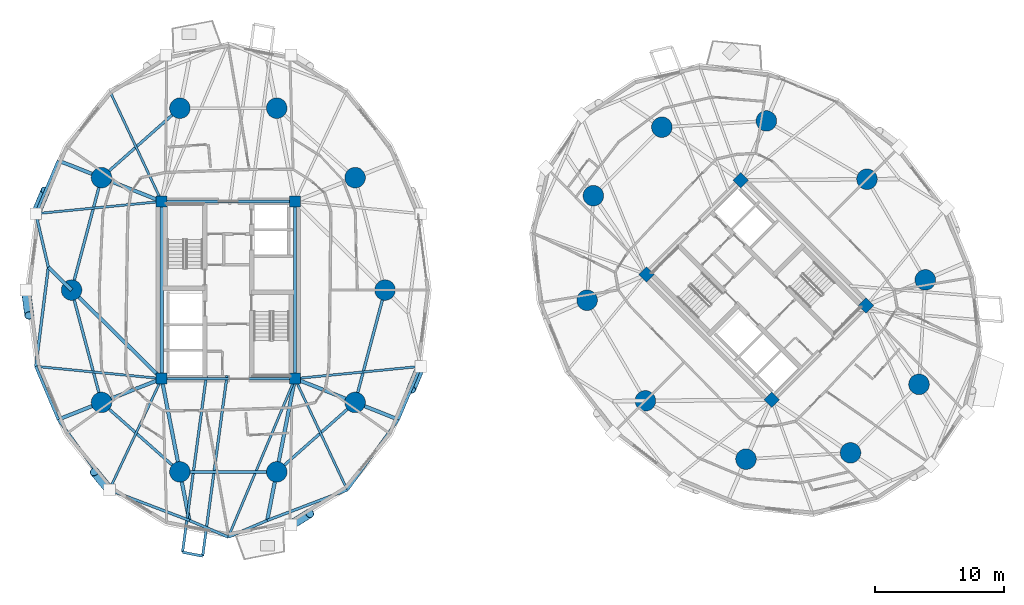
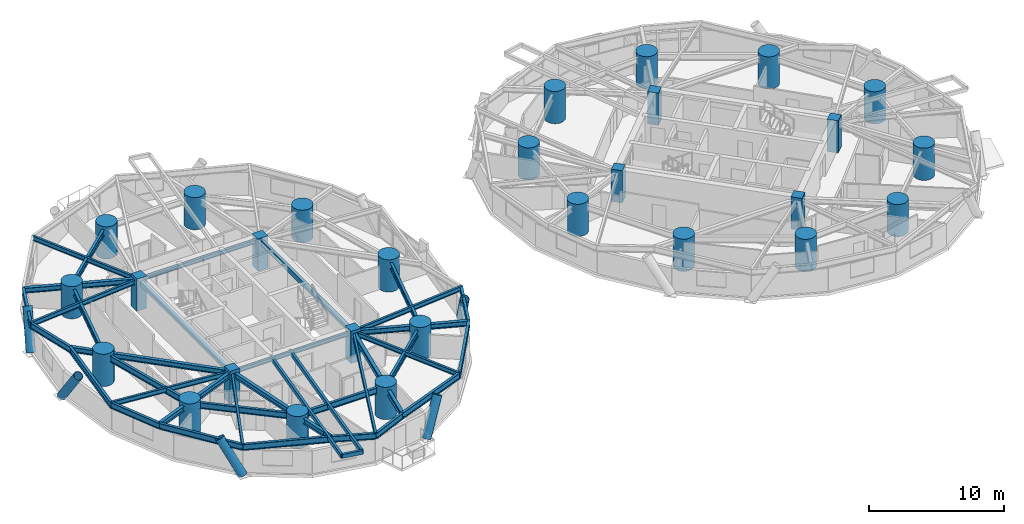
# One storey, part 1 of 20: 39 beams, 28 columns, 5 members.
"""IFC4 building model written with IfcOpenShell, lengths in metres."""

from ifc_helpers import new_model, si_unit, direction, frame, origin, origin_2d, place, context, subcontext, project, spatial, rectangle, hollow_rectangle, circle, hollow_circle, i_section, extrude, material, material_profile, profile_set, type_object, element, save


model = new_model("IFC4")

# Units and contexts
model_context = context("Model", 3, precision=1e-05, world=origin(), true_north=direction((0.0, 1.0)))
body_context = subcontext(model_context, "Body", "Model", "MODEL_VIEW")
ifc_project = project(units=[si_unit("LENGTHUNIT", "METRE"), si_unit("AREAUNIT", "SQUARE_METRE"), si_unit("VOLUMEUNIT", "CUBIC_METRE"), si_unit("PLANEANGLEUNIT", "RADIAN"), si_unit("MASSUNIT", "GRAM", prefix="KILO")], contexts=[model_context])

# Site, building, storey
site_placement = place(None, origin())
site = spatial("IfcSite", under=ifc_project, at=site_placement, CompositionType="ELEMENT")
building_placement = place(site_placement, origin())
building = spatial("IfcBuilding", under=site, at=building_placement, Name="Cununo Teusaquillo Station Towers", CompositionType="ELEMENT")
storey_placement = place(building_placement, frame((0.0, 0.0, 39.4599609375)))
storey = spatial("IfcBuildingStorey", under=building, at=storey_placement, Name="L11", CompositionType="ELEMENT", Elevation=39.4599609375)

# Columns
ifc_material_1 = material(Name="Concrete C50/60", Category="concrete")
ifc_material_profile_1 = material_profile(ifc_material_1, rectangle(XDim=0.85009765625, YDim=0.85009765625, at=origin_2d()), Name="RC-RECT-850x850")
ifc_profile_set_1 = profile_set([ifc_material_profile_1], Name="Concrete C50/60")
column_type_1 = type_object("IfcColumnType", Name="COL-CORE-Z1", PredefinedType="COLUMN", material=ifc_profile_set_1)
for number, where, z_axis, x_axis, name in (
    (1, (11.324951171875, 17.6201171875, 0.0), (0.0, 0.0, 1.0), (1.0, 0.0, 0.0), "L11 Tower A Core Column 1"),
    (2, (11.324951171875, 31.3798828125, 0.0), (0.0, 0.0, 1.0), (1.0, 0.0, 0.0), "L11 Tower A Core Column 2"),
    (3, (21.675048828125, 17.6201171875, 0.0), (0.0, 0.0, 1.0), (1.0, 0.0, 0.0), "L11 Tower A Core Column 3"),
    (4, (21.675048828125, 31.3798828125, 0.0), (0.0, 0.0, 1.0), (1.0, 0.0, 0.0), "L11 Tower A Core Column 4"),
    (5, (58.70556640625, 15.975830078125, 0.0), (0.0, 0.0, 1.0), (0.707106781187, 0.707106781187, 0.0), "L11 Tower B Core Column 1"),
    (6, (48.975830078125, 25.70556640625, 0.0), (0.0, 0.0, 1.0), (0.707106781187, 0.707106781187, 0.0), "L11 Tower B Core Column 2"),
    (7, (66.024169921875, 23.29443359375, 0.0), (0.0, 0.0, 1.0), (0.707106781187, 0.707106781187, 0.0), "L11 Tower B Core Column 3"),
    (8, (56.29443359375, 33.024169921875, 0.0), (0.0, 0.0, 1.0), (0.707106781187, 0.707106781187, 0.0), "L11 Tower B Core Column 4"),
):
    element("IfcColumn", number, at=place(storey_placement, frame(where, z_axis=z_axis, x_axis=x_axis)), inside=storey, type_object=column_type_1, Name=name, PredefinedType="COLUMN", context=body_context, shape_type="SweptSolid", body=[
        extrude(rectangle(XDim=0.85009765625, YDim=0.85009765625, at=origin_2d()), origin(), (0.0, 0.0, 1.0), 2.91015625),
    ])
ifc_material_2 = material(Name="Concrete C60/75", Category="concrete")
ifc_material_profile_2 = material_profile(ifc_material_2, circle(Radius=0.800048828125, at=origin_2d()), Name="RC-CIRC-1600")
ifc_profile_set_2 = profile_set([ifc_material_profile_2], Name="Concrete C60/75")
column_type_2 = type_object("IfcColumnType", Name="COL-MEGA-Z1", PredefinedType="USERDEFINED", material=ifc_profile_set_2)
for number, where, z_axis, x_axis, name in (
    (9, (28.672119140625, 24.5, 0.0), (0.0, 0.0, 1.0), (1.0, 0.0, 0.0), "L11 Tower A Perimeter Column V00"),
    (10, (26.347412109375, 33.228515625, 0.0), (0.0, 0.0, 1.0), (1.0, 0.0, 0.0), "L11 Tower A Perimeter Column V02"),
    (11, (20.261474609375, 38.623291015625, 0.0), (0.0, 0.0, 1.0), (1.0, 0.0, 0.0), "L11 Tower A Perimeter Column V04"),
    (12, (12.738525390625, 38.623291015625, 0.0), (0.0, 0.0, 1.0), (1.0, 0.0, 0.0), "L11 Tower A Perimeter Column V06"),
    (13, (6.652587890625, 33.228515625, 0.0), (0.0, 0.0, 1.0), (1.0, 0.0, 0.0), "L11 Tower A Perimeter Column V08"),
    (14, (4.327880859375, 24.5, 0.0), (0.0, 0.0, 1.0), (1.0, 0.0, 0.0), "L11 Tower A Perimeter Column V10"),
    (15, (6.652587890625, 15.771484375, 0.0), (0.0, 0.0, 1.0), (1.0, 0.0, 0.0), "L11 Tower A Perimeter Column V12"),
    (16, (12.738525390625, 10.376708984375, 0.0), (0.0, 0.0, 1.0), (1.0, 0.0, 0.0), "L11 Tower A Perimeter Column V14"),
    (17, (20.261474609375, 10.376708984375, 0.0), (0.0, 0.0, 1.0), (1.0, 0.0, 0.0), "L11 Tower A Perimeter Column V16"),
    (18, (26.347412109375, 15.771484375, 0.0), (0.0, 0.0, 1.0), (1.0, 0.0, 0.0), "L11 Tower A Perimeter Column V18"),
    (19, (66.10693359375, 33.10693359375, 0.0), (0.0, 0.0, 1.0), (1.0, 0.0, 0.0), "L11 Tower B Perimeter Column V00"),
    (20, (58.291015625, 37.63525390625, 0.0), (0.0, 0.0, 1.0), (1.0, 0.0, 0.0), "L11 Tower B Perimeter Column V02"),
    (21, (50.173095703125, 37.146240234375, 0.0), (0.0, 0.0, 1.0), (1.0, 0.0, 0.0), "L11 Tower B Perimeter Column V04"),
    (22, (44.853759765625, 31.826904296875, 0.0), (0.0, 0.0, 1.0), (1.0, 0.0, 0.0), "L11 Tower B Perimeter Column V06"),
    (23, (44.36474609375, 23.708984375, 0.0), (0.0, 0.0, 1.0), (1.0, 0.0, 0.0), "L11 Tower B Perimeter Column V08"),
    (24, (48.89306640625, 15.89306640625, 0.0), (0.0, 0.0, 1.0), (1.0, 0.0, 0.0), "L11 Tower B Perimeter Column V10"),
    (25, (56.708984375, 11.36474609375, 0.0), (0.0, 0.0, 1.0), (1.0, 0.0, 0.0), "L11 Tower B Perimeter Column V12"),
    (26, (64.826904296875, 11.853759765625, 0.0), (0.0, 0.0, 1.0), (1.0, 0.0, 0.0), "L11 Tower B Perimeter Column V14"),
    (27, (70.146240234375, 17.173095703125, 0.0), (0.0, 0.0, 1.0), (1.0, 0.0, 0.0), "L11 Tower B Perimeter Column V16"),
    (28, (70.63525390625, 25.291015625, 0.0), (0.0, 0.0, 1.0), (1.0, 0.0, 0.0), "L11 Tower B Perimeter Column V18"),
):
    element("IfcColumn", number, at=place(storey_placement, frame(where, z_axis=z_axis, x_axis=x_axis)), inside=storey, type_object=column_type_2, Name=name, ObjectType="MEGA COLUMN", PredefinedType="USERDEFINED", context=body_context, shape_type="SweptSolid", body=[
        extrude(circle(Radius=0.800048828125, at=origin_2d()), origin(), (0.0, 0.0, 1.0), 2.91015625),
    ])

# Beams
ifc_material_3 = material(Name="Steel EN 10025-2 S355J2", Category="steel")
ifc_material_profile_3 = material_profile(ifc_material_3, hollow_rectangle(XDim=0.199951171875, YDim=0.35009765625, WallThickness=0.013916015625, at=origin_2d()), Name="RHS 350x200x14")
ifc_profile_set_3 = profile_set([ifc_material_profile_3], Name="Steel EN 10025-2 S355J2")
beam_type_1 = type_object("IfcBeamType", Name="BM-BAL-CANT", PredefinedType="BEAM", material=ifc_profile_set_3)
beam_1_placement = place(storey_placement, frame((14.799560546875, 17.85009765625, 2.47509765625), z_axis=(-0.133965193427, -0.990986037717, 0.0), x_axis=(0.990986037717, -0.133965193427, 0.0)))
element("IfcBeam", 29, at=beam_1_placement, inside=storey, type_object=beam_type_1, Name="L11 Tower A Balcony Cantilever Bracket 2A", PredefinedType="BEAM", context=body_context, shape_type="SweptSolid", body=[
    extrude(hollow_rectangle(XDim=0.199951171875, YDim=0.35009765625, WallThickness=0.013916015625, at=origin_2d()), origin(), (0.0, 0.0, 1.0), 13.837646484375),
])
beam_2_placement = place(storey_placement, frame((16.40234375, 17.85009765625, 2.47509765625), z_axis=(-0.133963716843, -0.990986237326, 0.0), x_axis=(0.990986237326, -0.133963716843, 0.0)))
element("IfcBeam", 30, at=beam_2_placement, inside=storey, type_object=beam_type_1, Name="L11 Tower A Balcony Cantilever Bracket 2B", PredefinedType="BEAM", context=body_context, shape_type="SweptSolid", body=[
    extrude(hollow_rectangle(XDim=0.199951171875, YDim=0.35009765625, WallThickness=0.013916015625, at=origin_2d()), origin(), (0.0, 0.0, 1.0), 14.14208984375),
])
ifc_material_4 = material(Name="Steel EN 10025-2 S355J2", Category="steel")
ifc_material_profile_4 = material_profile(ifc_material_4, hollow_rectangle(XDim=0.25, YDim=0.449951171875, WallThickness=0.01611328125, at=origin_2d()), Name="RHS 450x250x16")
ifc_profile_set_4 = profile_set([ifc_material_profile_4], Name="Steel EN 10025-2 S355J2")
beam_type_2 = type_object("IfcBeamType", Name="BM-COUP-1", PredefinedType="USERDEFINED", material=ifc_profile_set_4)
for number, where, z_axis, x_axis, name in (
    (31, (11.324951171875, 17.6201171875, 2.425048828125), (0.0, 1.0, 0.0), (-1.0, 0.0, 0.0), "L11 Tower A Core Beam 1"),
    (32, (21.675048828125, 17.6201171875, 2.425048828125), (0.0, 1.0, 0.0), (-1.0, 0.0, 0.0), "L11 Tower A Core Beam 2"),
):
    element("IfcBeam", number, at=place(storey_placement, frame(where, z_axis=z_axis, x_axis=x_axis)), inside=storey, type_object=beam_type_2, Name=name, ObjectType="COUPLING BEAM", PredefinedType="USERDEFINED", context=body_context, shape_type="SweptSolid", body=[
        extrude(hollow_rectangle(XDim=0.25, YDim=0.449951171875, WallThickness=0.01611328125, at=origin_2d()), origin(), (0.0, 0.0, 1.0), 13.759765625),
    ])
ifc_material_5 = material(Name="Steel ASTM A572 Grade 50", Category="steel")
ifc_material_profile_5 = material_profile(ifc_material_5, i_section(OverallWidth=0.180908203125, OverallDepth=0.4169921875, WebThickness=0.010986328125, FlangeThickness=0.018310546875, FilletRadius=0.012939453125, at=origin_2d()), Name="W16X57")
ifc_profile_set_5 = profile_set([ifc_material_profile_5], Name="Steel ASTM A572 Grade 50")
beam_type_3 = type_object("IfcBeamType", Name="BM-JOIST-1", PredefinedType="JOIST", material=ifc_profile_set_5)
beam_3_placement = place(storey_placement, frame((11.324951171875, 31.3798828125, 2.441650390625), z_axis=(-0.425472080871, 0.904971551155, 0.0), x_axis=(-0.904971551155, -0.425472080871, 0.0)))
element("IfcBeam", 33, at=beam_3_placement, inside=storey, type_object=beam_type_3, Name="L11 Tower A Radial Spandrel Joist V07", PredefinedType="JOIST", context=body_context, shape_type="SweptSolid", body=[
    extrude(i_section(OverallWidth=0.180908203125, OverallDepth=0.4169921875, WebThickness=0.010986328125, FlangeThickness=0.018310546875, FilletRadius=0.012939453125, at=origin_2d()), origin(), (0.0, 0.0, 1.0), 9.552734375),
])
for number, where, z_axis, x_axis, name in (
    (34, (11.324951171875, 31.3798828125, 2.441650390625), (-0.995310719276, -0.096729375545, 0.0), (0.096729375545, -0.995310719276, 0.0), "L11 Tower A Radial Spandrel Joist V09"),
    (35, (11.324951171875, 17.6201171875, 2.441650390625), (-0.995310719276, 0.096729375545, 0.0), (-0.096729375545, -0.995310719276, 0.0), "L11 Tower A Radial Spandrel Joist V11"),
):
    element("IfcBeam", number, at=place(storey_placement, frame(where, z_axis=z_axis, x_axis=x_axis)), inside=storey, type_object=beam_type_3, Name=name, PredefinedType="JOIST", context=body_context, shape_type="SweptSolid", body=[
        extrude(i_section(OverallWidth=0.180908203125, OverallDepth=0.4169921875, WebThickness=0.010986328125, FlangeThickness=0.018310546875, FilletRadius=0.012939453125, at=origin_2d()), origin(), (0.0, 0.0, 1.0), 9.82080078125),
    ])
beam_4_placement = place(storey_placement, frame((11.324951171875, 17.6201171875, 2.441650390625), z_axis=(-0.425472080871, -0.904971551155, 0.0), x_axis=(0.904971551155, -0.425472080871, 0.0)))
element("IfcBeam", 36, at=beam_4_placement, inside=storey, type_object=beam_type_3, Name="L11 Tower A Radial Spandrel Joist V13", PredefinedType="JOIST", context=body_context, shape_type="SweptSolid", body=[
    extrude(i_section(OverallWidth=0.180908203125, OverallDepth=0.4169921875, WebThickness=0.010986328125, FlangeThickness=0.018310546875, FilletRadius=0.012939453125, at=origin_2d()), origin(), (0.0, 0.0, 1.0), 9.552734375),
])
beam_5_placement = place(storey_placement, frame((21.675048828125, 17.6201171875, 2.441650390625), z_axis=(-0.387539558454, -0.92185307432, 0.0), x_axis=(0.92185307432, -0.387539558454, 0.0)))
element("IfcBeam", 37, at=beam_5_placement, inside=storey, type_object=beam_type_3, Name="L11 Tower A Radial Spandrel Joist V15", PredefinedType="JOIST", context=body_context, shape_type="SweptSolid", body=[
    extrude(i_section(OverallWidth=0.180908203125, OverallDepth=0.4169921875, WebThickness=0.010986328125, FlangeThickness=0.018310546875, FilletRadius=0.012939453125, at=origin_2d()), origin(), (0.0, 0.0, 1.0), 13.353515625),
])
beam_6_placement = place(storey_placement, frame((21.675048828125, 17.6201171875, 2.441650390625), z_axis=(0.425472080871, -0.904971551155, 0.0), x_axis=(0.904971551155, 0.425472080871, 0.0)))
element("IfcBeam", 38, at=beam_6_placement, inside=storey, type_object=beam_type_3, Name="L11 Tower A Radial Spandrel Joist V17", PredefinedType="JOIST", context=body_context, shape_type="SweptSolid", body=[
    extrude(i_section(OverallWidth=0.180908203125, OverallDepth=0.4169921875, WebThickness=0.010986328125, FlangeThickness=0.018310546875, FilletRadius=0.012939453125, at=origin_2d()), origin(), (0.0, 0.0, 1.0), 9.552734375),
])
beam_7_placement = place(storey_placement, frame((21.675048828125, 17.6201171875, 2.441650390625), z_axis=(0.995310719276, 0.096729375545, 0.0), x_axis=(-0.096729375545, 0.995310719276, 0.0)))
element("IfcBeam", 39, at=beam_7_placement, inside=storey, type_object=beam_type_3, Name="L11 Tower A Radial Spandrel Joist V19", PredefinedType="JOIST", context=body_context, shape_type="SweptSolid", body=[
    extrude(i_section(OverallWidth=0.180908203125, OverallDepth=0.4169921875, WebThickness=0.010986328125, FlangeThickness=0.018310546875, FilletRadius=0.012939453125, at=origin_2d()), origin(), (0.0, 0.0, 1.0), 9.82080078125),
])
ifc_material_6 = material(Name="Steel ASTM A572 Grade 50", Category="steel")
ifc_material_profile_6 = material_profile(ifc_material_6, i_section(OverallWidth=0.2041015625, OverallDepth=0.35009765625, WebThickness=0.008544921875, FlangeThickness=0.01513671875, FilletRadius=0.011962890625, at=origin_2d()), Name="W14X48")
ifc_profile_set_6 = profile_set([ifc_material_profile_6], Name="Steel ASTM A572 Grade 50")
beam_type_4 = type_object("IfcBeamType", Name="BM-LINTEL-1", PredefinedType="LINTEL", material=ifc_profile_set_6)
for number, where, z_axis, x_axis, name in (
    (40, (11.324951171875, 17.6201171875, 2.47509765625), (1.0, 0.0, 0.0), (0.0, 1.0, 0.0), "L11 Tower A Core Beam 3"),
    (41, (11.324951171875, 31.3798828125, 2.47509765625), (1.0, 0.0, 0.0), (0.0, 1.0, 0.0), "L11 Tower A Core Beam 4"),
):
    element("IfcBeam", number, at=place(storey_placement, frame(where, z_axis=z_axis, x_axis=x_axis)), inside=storey, type_object=beam_type_4, Name=name, PredefinedType="LINTEL", context=body_context, shape_type="SweptSolid", body=[
        extrude(i_section(OverallWidth=0.2041015625, OverallDepth=0.35009765625, WebThickness=0.008544921875, FlangeThickness=0.01513671875, FilletRadius=0.011962890625, at=origin_2d()), origin(), (0.0, 0.0, 1.0), 10.35009765625),
    ])
ifc_material_7 = material(Name="Steel ASTM A572 Grade 50", Category="steel")
ifc_material_profile_7 = material_profile(ifc_material_7, i_section(OverallWidth=0.280029296875, OverallDepth=0.462890625, WebThickness=0.0107421875, FlangeThickness=0.017333984375, FilletRadius=0.013916015625, at=origin_2d()), Name="W18X76")
ifc_profile_set_7 = profile_set([ifc_material_profile_7], Name="Steel ASTM A572 Grade 50")
beam_type_5 = type_object("IfcBeamType", Name="BM-RAD-G1", PredefinedType="BEAM", material=ifc_profile_set_7)
beam_8_placement = place(storey_placement, frame((11.324951171875, 31.3798828125, 2.41845703125), z_axis=(-0.929864879908, 0.367901216516, 0.0), x_axis=(-0.367901216516, -0.929864879908, 0.0)))
element("IfcBeam", 42, at=beam_8_placement, inside=storey, type_object=beam_type_5, Name="L11 Tower A Continuous Overhanging Radial Girder 05", PredefinedType="BEAM", context=body_context, shape_type="SweptSolid", body=[
    extrude(i_section(OverallWidth=0.280029296875, OverallDepth=0.462890625, WebThickness=0.0107421875, FlangeThickness=0.017333984375, FilletRadius=0.013916015625, at=origin_2d()), origin(), (0.0, 0.0, 1.0), 8.631591796875),
])
beam_9_placement = place(storey_placement, frame((11.324951171875, 17.6201171875, 2.41845703125), z_axis=(-0.713052701438, 0.701110437073, 0.0), x_axis=(-0.701110437073, -0.713052701438, 0.0)))
element("IfcBeam", 43, at=beam_9_placement, inside=storey, type_object=beam_type_5, Name="L11 Tower A Radial Girder 06A", PredefinedType="BEAM", context=body_context, shape_type="SweptSolid", body=[
    extrude(i_section(OverallWidth=0.280029296875, OverallDepth=0.462890625, WebThickness=0.0107421875, FlangeThickness=0.017333984375, FilletRadius=0.013916015625, at=origin_2d()), origin(), (0.0, 0.0, 1.0), 9.812744140625),
])
beam_10_placement = place(storey_placement, frame((4.327880859375, 24.5, 2.41845703125), z_axis=(-0.713066306507, 0.701096599995, 0.0), x_axis=(-0.701096599995, -0.713066306507, 0.0)))
element("IfcBeam", 44, at=beam_10_placement, inside=storey, type_object=beam_type_5, Name="L11 Tower A Perimeter Overhang Girder 06B", PredefinedType="BEAM", context=body_context, shape_type="SweptSolid", body=[
    extrude(i_section(OverallWidth=0.280029296875, OverallDepth=0.462890625, WebThickness=0.0107421875, FlangeThickness=0.017333984375, FilletRadius=0.013916015625, at=origin_2d()), origin(), (0.0, 0.0, 1.0), 2.529052734375),
])
beam_11_placement = place(storey_placement, frame((11.324951171875, 17.6201171875, 2.41845703125), z_axis=(-0.929864879908, -0.367901216516, 0.0), x_axis=(0.367901216516, -0.929864879908, 0.0)))
element("IfcBeam", 45, at=beam_11_placement, inside=storey, type_object=beam_type_5, Name="L11 Tower A Continuous Overhanging Radial Girder 07", PredefinedType="BEAM", context=body_context, shape_type="SweptSolid", body=[
    extrude(i_section(OverallWidth=0.280029296875, OverallDepth=0.462890625, WebThickness=0.0107421875, FlangeThickness=0.017333984375, FilletRadius=0.013916015625, at=origin_2d()), origin(), (0.0, 0.0, 1.0), 8.631591796875),
])
for number, where, z_axis, x_axis, name in (
    (46, (11.324951171875, 17.6201171875, 2.41845703125), (0.191549210283, -0.981483010571, 0.0), (0.981483010571, 0.191549210283, 0.0), "L11 Tower A Continuous Overhanging Radial Girder 08"),
    (47, (21.675048828125, 17.6201171875, 2.41845703125), (-0.191549210283, -0.981483010571, 0.0), (0.981483010571, -0.191549210283, 0.0), "L11 Tower A Continuous Overhanging Radial Girder 09"),
):
    element("IfcBeam", number, at=place(storey_placement, frame(where, z_axis=z_axis, x_axis=x_axis)), inside=storey, type_object=beam_type_5, Name=name, PredefinedType="BEAM", context=body_context, shape_type="SweptSolid", body=[
        extrude(i_section(OverallWidth=0.280029296875, OverallDepth=0.462890625, WebThickness=0.0107421875, FlangeThickness=0.017333984375, FilletRadius=0.013916015625, at=origin_2d()), origin(), (0.0, 0.0, 1.0), 11.22119140625),
    ])
beam_12_placement = place(storey_placement, frame((21.675048828125, 17.6201171875, 2.41845703125), z_axis=(0.929864879908, -0.367901216516, 0.0), x_axis=(0.367901216516, 0.929864879908, 0.0)))
element("IfcBeam", 48, at=beam_12_placement, inside=storey, type_object=beam_type_5, Name="L11 Tower A Continuous Overhanging Radial Girder 10", PredefinedType="BEAM", context=body_context, shape_type="SweptSolid", body=[
    extrude(i_section(OverallWidth=0.280029296875, OverallDepth=0.462890625, WebThickness=0.0107421875, FlangeThickness=0.017333984375, FilletRadius=0.013916015625, at=origin_2d()), origin(), (0.0, 0.0, 1.0), 8.631591796875),
])
ifc_material_8 = material(Name="Steel ASTM A572 Grade 50", Category="steel")
ifc_material_profile_8 = material_profile(ifc_material_8, i_section(OverallWidth=0.214111328125, OverallDepth=0.549072265625, WebThickness=0.0146484375, FlangeThickness=0.023681640625, FilletRadius=0.014892578125, at=origin_2d()), Name="W21X93")
ifc_profile_set_8 = profile_set([ifc_material_profile_8], Name="Steel ASTM A572 Grade 50")
beam_type_6 = type_object("IfcBeamType", Name="BM-RING-Z1", PredefinedType="SPANDREL", material=ifc_profile_set_8)
beam_13_placement = place(storey_placement, frame((12.738525390625, 38.623291015625, 2.37548828125), z_axis=(-0.74832120039, -0.66333655187, 0.0), x_axis=(0.66333655187, -0.74832120039, 0.0)))
element("IfcBeam", 49, at=beam_13_placement, inside=storey, type_object=beam_type_6, Name="L11 Tower A Structural Column Ring Girder 04", PredefinedType="SPANDREL", context=body_context, shape_type="SweptSolid", body=[
    extrude(i_section(OverallWidth=0.214111328125, OverallDepth=0.549072265625, WebThickness=0.0146484375, FlangeThickness=0.023681640625, FilletRadius=0.014892578125, at=origin_2d()), origin(), (0.0, 0.0, 1.0), 8.1328125),
])
for number, where, z_axis, x_axis, name in (
    (50, (6.652587890625, 33.228515625, 2.37548828125), (-0.257363196347, -0.966314744359, 0.0), (0.966314744359, -0.257363196347, 0.0), "L11 Tower A Structural Column Ring Girder 05"),
    (51, (4.327880859375, 24.5, 2.37548828125), (0.257363196347, -0.966314744359, 0.0), (0.966314744359, 0.257363196347, 0.0), "L11 Tower A Structural Column Ring Girder 06"),
):
    element("IfcBeam", number, at=place(storey_placement, frame(where, z_axis=z_axis, x_axis=x_axis)), inside=storey, type_object=beam_type_6, Name=name, PredefinedType="SPANDREL", context=body_context, shape_type="SweptSolid", body=[
        extrude(i_section(OverallWidth=0.214111328125, OverallDepth=0.549072265625, WebThickness=0.0146484375, FlangeThickness=0.023681640625, FilletRadius=0.014892578125, at=origin_2d()), origin(), (0.0, 0.0, 1.0), 9.03271484375),
    ])
beam_14_placement = place(storey_placement, frame((6.652587890625, 15.771484375, 2.37548828125), z_axis=(0.74832120039, -0.66333655187, 0.0), x_axis=(0.66333655187, 0.74832120039, 0.0)))
element("IfcBeam", 52, at=beam_14_placement, inside=storey, type_object=beam_type_6, Name="L11 Tower A Structural Column Ring Girder 07", PredefinedType="SPANDREL", context=body_context, shape_type="SweptSolid", body=[
    extrude(i_section(OverallWidth=0.214111328125, OverallDepth=0.549072265625, WebThickness=0.0146484375, FlangeThickness=0.023681640625, FilletRadius=0.014892578125, at=origin_2d()), origin(), (0.0, 0.0, 1.0), 8.1328125),
])
beam_15_placement = place(storey_placement, frame((12.738525390625, 10.376708984375, 2.37548828125), z_axis=(1.0, 0.0, 0.0), x_axis=(0.0, 1.0, 0.0)))
element("IfcBeam", 53, at=beam_15_placement, inside=storey, type_object=beam_type_6, Name="L11 Tower A Structural Column Ring Girder 08", PredefinedType="SPANDREL", context=body_context, shape_type="SweptSolid", body=[
    extrude(i_section(OverallWidth=0.214111328125, OverallDepth=0.549072265625, WebThickness=0.0146484375, FlangeThickness=0.023681640625, FilletRadius=0.014892578125, at=origin_2d()), origin(), (0.0, 0.0, 1.0), 7.52294921875),
])
beam_16_placement = place(storey_placement, frame((20.261474609375, 10.376708984375, 2.37548828125), z_axis=(0.74832120039, 0.66333655187, 0.0), x_axis=(-0.66333655187, 0.74832120039, 0.0)))
element("IfcBeam", 54, at=beam_16_placement, inside=storey, type_object=beam_type_6, Name="L11 Tower A Structural Column Ring Girder 09", PredefinedType="SPANDREL", context=body_context, shape_type="SweptSolid", body=[
    extrude(i_section(OverallWidth=0.214111328125, OverallDepth=0.549072265625, WebThickness=0.0146484375, FlangeThickness=0.023681640625, FilletRadius=0.014892578125, at=origin_2d()), origin(), (0.0, 0.0, 1.0), 8.1328125),
])
beam_17_placement = place(storey_placement, frame((26.347412109375, 15.771484375, 2.37548828125), z_axis=(0.257363196347, 0.966314744359, 0.0), x_axis=(-0.966314744359, 0.257363196347, 0.0)))
element("IfcBeam", 55, at=beam_17_placement, inside=storey, type_object=beam_type_6, Name="L11 Tower A Structural Column Ring Girder 10", PredefinedType="SPANDREL", context=body_context, shape_type="SweptSolid", body=[
    extrude(i_section(OverallWidth=0.214111328125, OverallDepth=0.549072265625, WebThickness=0.0146484375, FlangeThickness=0.023681640625, FilletRadius=0.014892578125, at=origin_2d()), origin(), (0.0, 0.0, 1.0), 9.03271484375),
])
beam_18_placement = place(storey_placement, frame((3.298828125, 34.555419921875, 2.37548828125), z_axis=(-0.390233589069, -0.920715887754, 0.0), x_axis=(0.920715887754, -0.390233589069, 0.0)))
element("IfcBeam", 56, at=beam_18_placement, inside=storey, type_object=beam_type_6, Name="L11 Tower A Spandrel Ring Beam 09", PredefinedType="SPANDREL", context=body_context, shape_type="SweptSolid", body=[
    extrude(i_section(OverallWidth=0.214111328125, OverallDepth=0.549072265625, WebThickness=0.0146484375, FlangeThickness=0.023681640625, FilletRadius=0.014892578125, at=origin_2d()), origin(), (0.0, 0.0, 1.0), 4.480712890625),
])
beam_19_placement = place(storey_placement, frame((1.55029296875, 30.429931640625, 2.37548828125), z_axis=(0.228165913287, -0.97362226557, 0.0), x_axis=(0.97362226557, 0.228165913287, 0.0)))
element("IfcBeam", 57, at=beam_19_placement, inside=storey, type_object=beam_type_6, Name="L11 Tower A Spandrel Ring Beam 10", PredefinedType="SPANDREL", context=body_context, shape_type="SweptSolid", body=[
    extrude(i_section(OverallWidth=0.214111328125, OverallDepth=0.549072265625, WebThickness=0.0146484375, FlangeThickness=0.023681640625, FilletRadius=0.014892578125, at=origin_2d()), origin(), (0.0, 0.0, 1.0), 4.269287109375),
])
beam_20_placement = place(storey_placement, frame((2.5244140625, 26.273193359375, 2.37548828125), z_axis=(-0.125458746224, -0.992098837312, 0.0), x_axis=(0.992098837312, -0.125458746224, 0.0)))
element("IfcBeam", 58, at=beam_20_placement, inside=storey, type_object=beam_type_6, Name="L11 Tower A Spandrel Ring Beam 11", PredefinedType="SPANDREL", context=body_context, shape_type="SweptSolid", body=[
    extrude(i_section(OverallWidth=0.214111328125, OverallDepth=0.549072265625, WebThickness=0.0146484375, FlangeThickness=0.023681640625, FilletRadius=0.014892578125, at=origin_2d()), origin(), (0.0, 0.0, 1.0), 7.764404296875),
])
beam_21_placement = place(storey_placement, frame((1.55029296875, 18.570068359375, 2.37548828125), z_axis=(0.390233589069, -0.920715887754, 0.0), x_axis=(0.920715887754, 0.390233589069, 0.0)))
element("IfcBeam", 59, at=beam_21_placement, inside=storey, type_object=beam_type_6, Name="L11 Tower A Spandrel Ring Beam 12", PredefinedType="SPANDREL", context=body_context, shape_type="SweptSolid", body=[
    extrude(i_section(OverallWidth=0.214111328125, OverallDepth=0.549072265625, WebThickness=0.0146484375, FlangeThickness=0.023681640625, FilletRadius=0.014892578125, at=origin_2d()), origin(), (0.0, 0.0, 1.0), 4.480712890625),
])
beam_22_placement = place(storey_placement, frame((3.298828125, 14.444580078125, 2.37548828125), z_axis=(0.586607937648, -0.809871056087, 0.0), x_axis=(0.809871056087, 0.586607937648, 0.0)))
element("IfcBeam", 60, at=beam_22_placement, inside=storey, type_object=beam_type_6, Name="L11 Tower A Spandrel Ring Beam 13", PredefinedType="SPANDREL", context=body_context, shape_type="SweptSolid", body=[
    extrude(i_section(OverallWidth=0.214111328125, OverallDepth=0.549072265625, WebThickness=0.0146484375, FlangeThickness=0.023681640625, FilletRadius=0.014892578125, at=origin_2d()), origin(), (0.0, 0.0, 1.0), 6.75341796875),
])
beam_23_placement = place(storey_placement, frame((7.260498046875, 8.97509765625, 2.37548828125), z_axis=(0.934426653529, -0.356155624937, 0.0), x_axis=(0.356155624937, 0.934426653529, 0.0)))
element("IfcBeam", 61, at=beam_23_placement, inside=storey, type_object=beam_type_6, Name="L11 Tower A Spandrel Ring Beam 14", PredefinedType="SPANDREL", context=body_context, shape_type="SweptSolid", body=[
    extrude(i_section(OverallWidth=0.214111328125, OverallDepth=0.549072265625, WebThickness=0.0146484375, FlangeThickness=0.023681640625, FilletRadius=0.014892578125, at=origin_2d()), origin(), (0.0, 0.0, 1.0), 6.64990234375),
])
for number, where, z_axis, x_axis, name in (
    (62, (13.474365234375, 6.606689453125, 2.37548828125), (0.919152702301, -0.393901396104, 0.0), (0.393901396104, 0.919152702301, 0.0), "L11 Tower A Spandrel Ring Beam 15"),
    (63, (16.5, 5.31005859375, 2.37548828125), (0.919152702301, 0.393901396104, 0.0), (-0.393901396104, 0.919152702301, 0.0), "L11 Tower A Spandrel Ring Beam 16"),
):
    element("IfcBeam", number, at=place(storey_placement, frame(where, z_axis=z_axis, x_axis=x_axis)), inside=storey, type_object=beam_type_6, Name=name, PredefinedType="SPANDREL", context=body_context, shape_type="SweptSolid", body=[
        extrude(i_section(OverallWidth=0.214111328125, OverallDepth=0.549072265625, WebThickness=0.0146484375, FlangeThickness=0.023681640625, FilletRadius=0.014892578125, at=origin_2d()), origin(), (0.0, 0.0, 1.0), 3.291748046875),
    ])
beam_24_placement = place(storey_placement, frame((19.525634765625, 6.606689453125, 2.37548828125), z_axis=(0.934426653529, 0.356155624937, 0.0), x_axis=(-0.356155624937, 0.934426653529, 0.0)))
element("IfcBeam", 64, at=beam_24_placement, inside=storey, type_object=beam_type_6, Name="L11 Tower A Spandrel Ring Beam 17", PredefinedType="SPANDREL", context=body_context, shape_type="SweptSolid", body=[
    extrude(i_section(OverallWidth=0.214111328125, OverallDepth=0.549072265625, WebThickness=0.0146484375, FlangeThickness=0.023681640625, FilletRadius=0.014892578125, at=origin_2d()), origin(), (0.0, 0.0, 1.0), 6.64990234375),
])
beam_25_placement = place(storey_placement, frame((25.739501953125, 8.97509765625, 2.37548828125), z_axis=(0.586607937648, 0.809871056087, 0.0), x_axis=(-0.809871056087, 0.586607937648, 0.0)))
element("IfcBeam", 65, at=beam_25_placement, inside=storey, type_object=beam_type_6, Name="L11 Tower A Spandrel Ring Beam 18", PredefinedType="SPANDREL", context=body_context, shape_type="SweptSolid", body=[
    extrude(i_section(OverallWidth=0.214111328125, OverallDepth=0.549072265625, WebThickness=0.0146484375, FlangeThickness=0.023681640625, FilletRadius=0.014892578125, at=origin_2d()), origin(), (0.0, 0.0, 1.0), 6.75341796875),
])
beam_26_placement = place(storey_placement, frame((29.701171875, 14.444580078125, 2.37548828125), z_axis=(0.390233589069, 0.920715887754, 0.0), x_axis=(-0.920715887754, 0.390233589069, 0.0)))
element("IfcBeam", 66, at=beam_26_placement, inside=storey, type_object=beam_type_6, Name="L11 Tower A Spandrel Ring Beam 19", PredefinedType="SPANDREL", context=body_context, shape_type="SweptSolid", body=[
    extrude(i_section(OverallWidth=0.214111328125, OverallDepth=0.549072265625, WebThickness=0.0146484375, FlangeThickness=0.023681640625, FilletRadius=0.014892578125, at=origin_2d()), origin(), (0.0, 0.0, 1.0), 4.480712890625),
])
ifc_material_9 = material(Name="Steel EN 10025-2 S355J2", Category="steel")
ifc_material_profile_9 = material_profile(ifc_material_9, hollow_rectangle(XDim=0.199951171875, YDim=0.35009765625, WallThickness=0.013916015625, at=origin_2d()), Name="RHS 350x200x14")
ifc_profile_set_9 = profile_set([ifc_material_profile_9], Name="Steel EN 10025-2 S355J2")
beam_type_7 = type_object("IfcBeamType", Name="BM-STAIR-TRIM", PredefinedType="BEAM", material=ifc_profile_set_9)
beam_27_placement = place(storey_placement, frame((12.94580078125, 4.13720703125, 2.525146484375), z_axis=(0.981846285306, -0.18967833833, 0.0), x_axis=(0.18967833833, 0.981846285306, 0.0)))
element("IfcBeam", 67, at=beam_27_placement, inside=storey, type_object=beam_type_7, Name="L11 Tower A Balcony Edge Trimmer Beam 2", PredefinedType="BEAM", context=body_context, shape_type="SweptSolid", body=[
    extrude(hollow_rectangle(XDim=0.199951171875, YDim=0.35009765625, WallThickness=0.013916015625, at=origin_2d()), origin(), (0.0, 0.0, 1.0), 1.5908203125),
])

# Members
ifc_material_10 = material(Name="Steel EN 10025-2 S355J2", Category="steel")
ifc_material_profile_10 = material_profile(ifc_material_10, hollow_circle(Radius=0.360107421875, WallThickness=0.028076171875, at=origin_2d()), Name="CHS 720x28")
ifc_profile_set_10 = profile_set([ifc_material_profile_10], Name="Steel EN 10025-2 S355J2")
member_type = type_object("IfcMemberType", Name="MBR-DIAG-Z1", PredefinedType="BRACE", material=ifc_profile_set_10)
member_1_placement = place(storey_placement, frame((1.55029296875, 30.429931640625, -0.139892578125), z_axis=(0.213103546094, 0.510497966767, 0.833053842539), x_axis=(-0.922822536657, 0.385225344231, 0.0)))
element("IfcMember", 68, at=member_1_placement, inside=storey, type_object=member_type, Name="L11 Tower A Folded-Zigzag Diagrid Tube C08", PredefinedType="BRACE", context=body_context, shape_type="SweptSolid", body=[
    extrude(hollow_circle(Radius=0.360107421875, WallThickness=0.028076171875, at=origin_2d()), origin(), (0.0, 0.0, 1.0), 3.4931640625),
])
member_2_placement = place(storey_placement, frame((0.781005859375, 24.5, -0.139892578125), z_axis=(0.072677592894, -0.560448066345, 0.824994504479), x_axis=(0.991696433339, 0.128600871311, 0.0)))
element("IfcMember", 69, at=member_2_placement, inside=storey, type_object=member_type, Name="L11 Tower A Folded-Zigzag Diagrid Tube C10", PredefinedType="BRACE", context=body_context, shape_type="SweptSolid", body=[
    extrude(hollow_circle(Radius=0.360107421875, WallThickness=0.028076171875, at=origin_2d()), origin(), (0.0, 0.0, 1.0), 3.527099609375),
])
member_3_placement = place(storey_placement, frame((7.260498046875, 8.97509765625, -0.139892578125), z_axis=(-0.337255650481, 0.411696240562, 0.846619649976), x_axis=(-0.773576579346, -0.633702829319, 0.0)))
element("IfcMember", 70, at=member_3_placement, inside=storey, type_object=member_type, Name="L11 Tower A Folded-Zigzag Diagrid Tube C12", PredefinedType="BRACE", context=body_context, shape_type="SweptSolid", body=[
    extrude(hollow_circle(Radius=0.360107421875, WallThickness=0.028076171875, at=origin_2d()), origin(), (0.0, 0.0, 1.0), 3.43701171875),
])
member_4_placement = place(storey_placement, frame((21.357421875, 6.249267578125, -0.139892578125), z_axis=(0.43211827403, 0.268746798875, 0.860842003705), x_axis=(-0.528122251674, 0.84916835038, 0.0)))
element("IfcMember", 71, at=member_4_placement, inside=storey, type_object=member_type, Name="L11 Tower A Folded-Zigzag Diagrid Tube C16", PredefinedType="BRACE", context=body_context, shape_type="SweptSolid", body=[
    extrude(hollow_circle(Radius=0.360107421875, WallThickness=0.028076171875, at=origin_2d()), origin(), (0.0, 0.0, 1.0), 3.38037109375),
])
member_5_placement = place(storey_placement, frame((31.44970703125, 18.570068359375, -0.139892578125), z_axis=(-0.213103546094, -0.510497966767, 0.833053842539), x_axis=(0.922822536657, -0.385225344231, 0.0)))
element("IfcMember", 72, at=member_5_placement, inside=storey, type_object=member_type, Name="L11 Tower A Folded-Zigzag Diagrid Tube C18", PredefinedType="BRACE", context=body_context, shape_type="SweptSolid", body=[
    extrude(hollow_circle(Radius=0.360107421875, WallThickness=0.028076171875, at=origin_2d()), origin(), (0.0, 0.0, 1.0), 3.4931640625),
])

save(model, "model.ifc")
